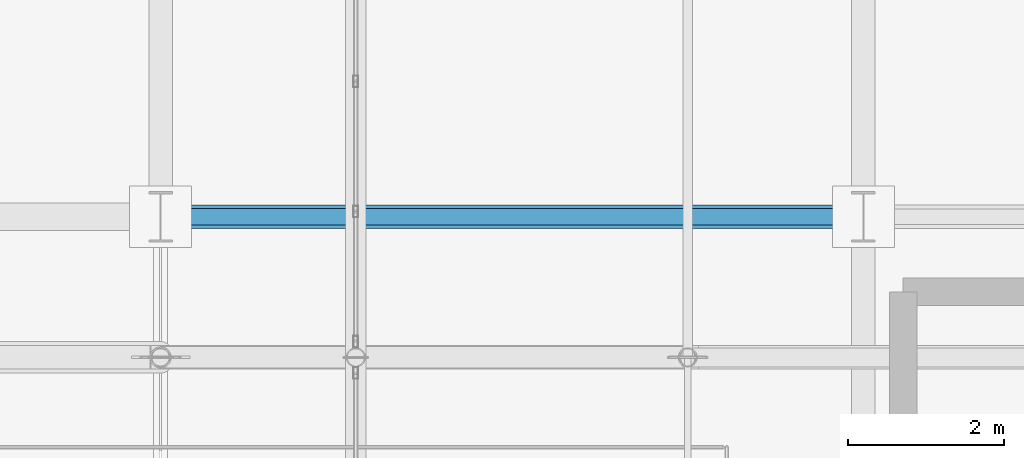
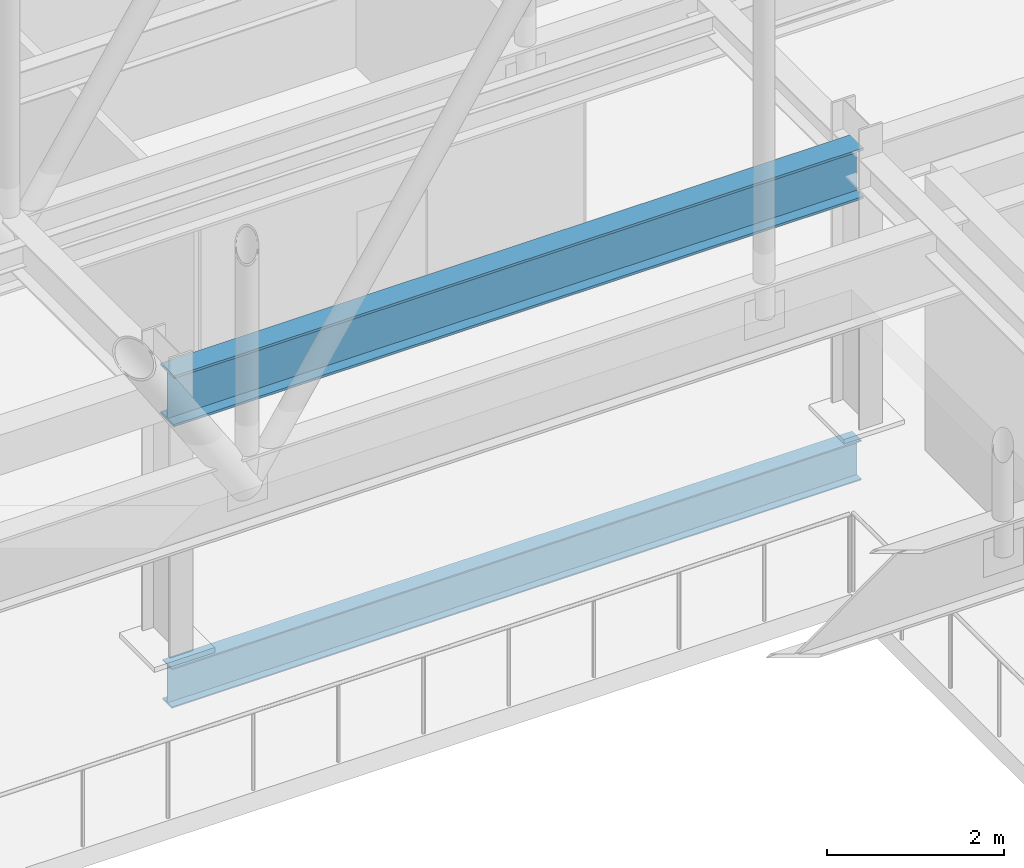
# One storey, part 53 of 84: 2 beams.
"""IFC4 building model written with IfcOpenShell, lengths in metres."""

from ifc_helpers import new_model, si_unit, direction, frame, origin, origin_2d, place, context, subcontext, project, spatial, i_section, extrude, material, material_profile, profile_set, type_object, element, save


model = new_model("IFC4")

# Units and contexts
model_context = context("Model", 3, precision=1e-05, world=origin(), true_north=direction((0.0, 1.0)))
body_context = subcontext(model_context, "Body", "Model", "MODEL_VIEW")
ifc_project = project(units=[si_unit("LENGTHUNIT", "METRE"), si_unit("AREAUNIT", "SQUARE_METRE"), si_unit("VOLUMEUNIT", "CUBIC_METRE"), si_unit("PLANEANGLEUNIT", "RADIAN"), si_unit("MASSUNIT", "GRAM", prefix="KILO")], contexts=[model_context])

# Site, building, storey
site_placement = place(None, origin())
site = spatial("IfcSite", under=ifc_project, at=site_placement, CompositionType="ELEMENT")
building_placement = place(site_placement, origin())
building = spatial("IfcBuilding", under=site, at=building_placement, Name="Sundgate Opera House", CompositionType="ELEMENT")
storey_placement = place(building_placement, frame((0.0, 0.0, 30.60009765625)))
storey = spatial("IfcBuildingStorey", under=building, at=storey_placement, Name="L06", CompositionType="ELEMENT", Elevation=30.60009765625)

# Beams
ifc_material_1 = material(Name="Steel S355J2", Category="steel")
ifc_material_profile_1 = material_profile(ifc_material_1, i_section(OverallWidth=0.300048828125, OverallDepth=0.699951171875, WebThickness=0.01708984375, FlangeThickness=0.031982421875, at=origin_2d()), Name="HEB 700")
ifc_profile_set_1 = profile_set([ifc_material_profile_1], Name="Steel S355J2")
beam_type_1 = type_object("IfcBeamType", Name="BM-GR-HEB700", PredefinedType="BEAM", material=ifc_profile_set_1)
beam_1_placement = place(storey_placement, frame((54.0, 78.0, 3.449951171875), z_axis=(1.0, 0.0, 0.0), x_axis=(0.0, 1.0, 0.0)))
element("IfcBeam", 1, at=beam_1_placement, inside=storey, type_object=beam_type_1, Name="L06 Primary E-W Girder B3290", PredefinedType="BEAM", context=body_context, shape_type="SweptSolid", body=[
    extrude(i_section(OverallWidth=0.300048828125, OverallDepth=0.699951171875, WebThickness=0.01708984375, FlangeThickness=0.031982421875, at=origin_2d()), origin(), (0.0, 0.0, 1.0), 9.0),
])
ifc_material_2 = material(Name="Steel S355J2", Category="steel")
ifc_material_profile_2 = material_profile(ifc_material_2, i_section(OverallWidth=0.2099609375, OverallDepth=0.550048828125, WebThickness=0.010986328125, FlangeThickness=0.01708984375, at=origin_2d()), Name="IPE 550")
ifc_profile_set_2 = profile_set([ifc_material_profile_2], Name="Steel S355J2")
beam_type_2 = type_object("IfcBeamType", Name="BM-GR-IPE550", PredefinedType="BEAM", material=ifc_profile_set_2)
beam_2_placement = place(storey_placement, frame((54.0, 78.0, -0.53515625), z_axis=(1.0, 0.0, 0.0), x_axis=(0.0, 1.0, 0.0)))
element("IfcBeam", 2, at=beam_2_placement, inside=storey, type_object=beam_type_2, Name="L06 Primary E-W Girder B3231", PredefinedType="BEAM", context=body_context, shape_type="SweptSolid", body=[
    extrude(i_section(OverallWidth=0.2099609375, OverallDepth=0.550048828125, WebThickness=0.010986328125, FlangeThickness=0.01708984375, at=origin_2d()), origin(), (0.0, 0.0, 1.0), 9.0),
])

save(model, "model.ifc")
